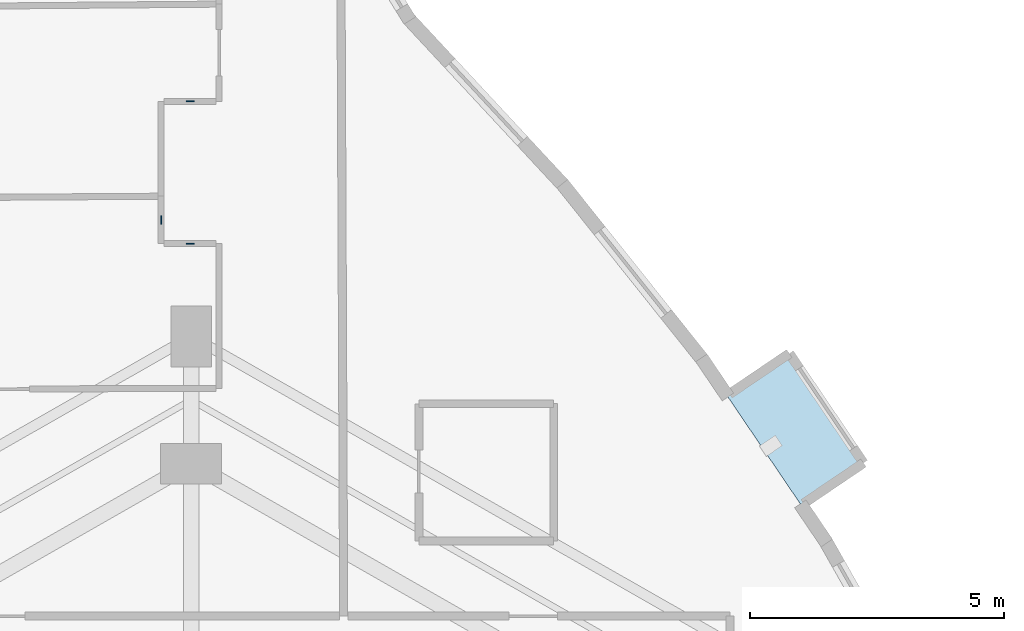
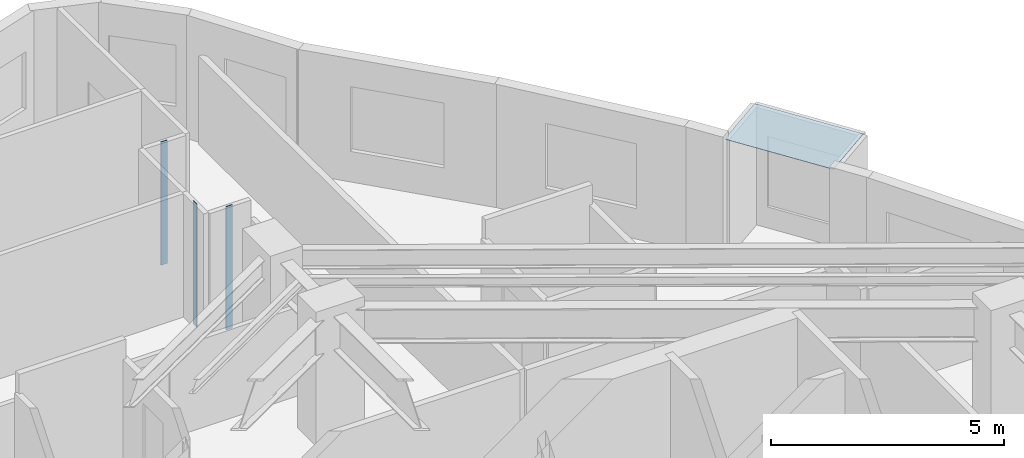
# One storey, part 4 of 11: 4 plates.
"""IFC4 building model written with IfcOpenShell, lengths in metres."""

import ifcopenshell
import ifcopenshell.guid

model = None  # the IFC model being written
_history = None  # IfcOwnerHistory: only IFC2X3 demands one
_inside = {}  # id of a spatial element -> (the spatial element, [elements in it])
_under = {}  # id of a project, library or spatial element -> (it, [spatial elements below it])
_declared = {}  # id of a project -> (the project, [libraries it declares])
_typed = {}  # id of a type object -> (the type object, [elements of that type])
_made_of = {}  # id of a material, layer set ... -> (it, [elements and type objects made of it])


def new_model(schema):
    """Start an empty IFC model of exactly this schema.

    Asked for "IFC4X3", IfcOpenShell would pick the latest addendum, in which some entities
    have other attributes; the version numbers below select the first issue.
    IFC2X3 requires an IfcOwnerHistory on every rooted entity: one is made here for all.
    """
    global model, _history
    if schema == "IFC4X3":
        model = ifcopenshell.file(schema_version=(4, 3, 0, 0))
    else:
        model = ifcopenshell.file(schema=schema)
    _inside.clear()
    _under.clear()
    _declared.clear()
    _typed.clear()
    _made_of.clear()
    _history = None
    if model.schema == "IFC2X3":
        org = make("IfcOrganization", Name="unknown")
        user = make(
            "IfcPersonAndOrganization",
            ThePerson=make("IfcPerson", FamilyName="unknown"),
            TheOrganization=org,
        )
        app = make(
            "IfcApplication",
            ApplicationDeveloper=org,
            Version="unknown",
            ApplicationFullName="unknown",
            ApplicationIdentifier="unknown",
        )
        _history = make(
            "IfcOwnerHistory",
            OwningUser=user,
            OwningApplication=app,
            ChangeAction="ADDED",
            CreationDate=0,
        )
    return model


def make(cls, **values):
    """One entity of the class cls with the attributes given. An attribute that is None is left unset."""
    return model.create_entity(
        cls, **{name: value for name, value in values.items() if value is not None}
    )


def rooted(cls, **values):
    """An entity with a GlobalId (a new one), such as an element, a storey or a relation."""
    return make(cls, GlobalId=ifcopenshell.guid.new(), OwnerHistory=_history, **values)


def si_unit(unit_type, name, prefix=None):
    """IfcSIUnit, for example si_unit("LENGTHUNIT", "METRE", prefix="MILLI")."""
    return make("IfcSIUnit", UnitType=unit_type, Prefix=prefix, Name=name)


def assignment(units):
    """IfcUnitAssignment: the units of a project."""
    return None if units is None else make("IfcUnitAssignment", Units=units)


def point(xyz):
    """IfcCartesianPoint."""
    return None if xyz is None else make("IfcCartesianPoint", Coordinates=xyz)


def direction(xyz):
    """IfcDirection."""
    return None if xyz is None else make("IfcDirection", DirectionRatios=xyz)


def frame(location, z_axis=None, x_axis=None):
    """IfcAxis2Placement3D, a coordinate frame: its origin and axes. An axis left out is left unset."""
    return make(
        "IfcAxis2Placement3D",
        Location=point(location),
        Axis=direction(z_axis),
        RefDirection=direction(x_axis),
    )


def frame_2d(location, x_axis=None):
    """IfcAxis2Placement2D, a coordinate frame in the plane: its origin and x axis."""
    return make(
        "IfcAxis2Placement2D", Location=point(location), RefDirection=direction(x_axis)
    )


def origin():
    """The frame at (0, 0, 0) with its axes left unset."""
    return frame((0.0, 0.0, 0.0))


def origin_2d():
    """The frame at (0, 0) in the plane with its x axis left unset."""
    return frame_2d((0.0, 0.0))


def place(relative_to, where):
    """IfcLocalPlacement: puts the frame where relative to a parent placement (None: the world)."""
    return make(
        "IfcLocalPlacement", PlacementRelTo=relative_to, RelativePlacement=where
    )


def context(
    kind, dimensions, precision=None, world=None, true_north=None, identifier=None
):
    """IfcGeometricRepresentationContext, for example the 3D "Model" context."""
    return make(
        "IfcGeometricRepresentationContext",
        ContextIdentifier=identifier,
        ContextType=kind,
        CoordinateSpaceDimension=dimensions,
        Precision=precision,
        WorldCoordinateSystem=world,
        TrueNorth=true_north,
    )


def subcontext(parent, identifier, kind, view, scale=None):
    """IfcGeometricRepresentationSubContext, for example "Body" below "Model"."""
    return make(
        "IfcGeometricRepresentationSubContext",
        ContextIdentifier=identifier,
        ContextType=kind,
        ParentContext=parent,
        TargetScale=scale,
        TargetView=view,
    )


def project(units=None, contexts=None):
    """IfcProject with its units and contexts."""
    return rooted(
        "IfcProject",
        Name="project",
        RepresentationContexts=contexts,
        UnitsInContext=assignment(units),
    )


def spatial(cls, under=None, at=None, **own):
    """A site, building, storey or space (cls), placed at a placement, below another one or the project."""
    s = rooted(cls, ObjectPlacement=at, **own)
    if under is not None:
        _under.setdefault(under.id(), (under, []))[1].append(s)
    return s


def polyline(points):
    """IfcPolyline through the points."""
    return make("IfcPolyline", Points=[point(p) for p in points])


def profile(cls, at=None, kind="AREA", **sizes):
    """A parametric profile (cls). Its sizes go by their IFC names, for example OverallWidth=200.0."""
    return make(cls, ProfileType=kind, Position=at, **sizes)


def rectangle(**sizes):
    """IfcRectangleProfileDef."""
    return profile("IfcRectangleProfileDef", **sizes)


def outline(outer, holes=None, kind="AREA"):
    """IfcArbitraryClosedProfileDef: a profile drawn as a closed curve; with holes, ...WithVoids."""
    if holes is None:
        return make("IfcArbitraryClosedProfileDef", ProfileType=kind, OuterCurve=outer)
    return make(
        "IfcArbitraryProfileDefWithVoids",
        ProfileType=kind,
        OuterCurve=outer,
        InnerCurves=holes,
    )


def extrude(swept, where, along, depth):
    """IfcExtrudedAreaSolid: the profile swept, set in the frame where, extruded along a direction by depth."""
    return make(
        "IfcExtrudedAreaSolid",
        SweptArea=swept,
        Position=where,
        ExtrudedDirection=direction(along),
        Depth=depth,
    )


def shape(context_of_items, identifier, shape_type, items):
    """IfcShapeRepresentation: the items that make up one representation, for example the "Body"."""
    return make(
        "IfcShapeRepresentation",
        ContextOfItems=context_of_items,
        RepresentationIdentifier=identifier,
        RepresentationType=shape_type,
        Items=items,
    )


def material(Name=None, Category=None):
    """IfcMaterial."""
    return make("IfcMaterial", Name=Name, Category=Category)


def layer(
    of_material, thickness, ventilated=None, Name=None, Category=None, Priority=None
):
    """IfcMaterialLayer: one layer of a wall or slab, of a material (None: an air gap)."""
    return make(
        "IfcMaterialLayer",
        Material=of_material,
        LayerThickness=thickness,
        IsVentilated=ventilated,
        Name=Name,
        Category=Category,
        Priority=Priority,
    )


def layer_set(layers, Name=None):
    """IfcMaterialLayerSet."""
    return make("IfcMaterialLayerSet", MaterialLayers=layers, LayerSetName=Name)


def made_of(thing, what):
    """Note that an element or type object is made of a material, layer set ...; save() writes the relation."""
    if what is not None:
        _made_of.setdefault(what.id(), (what, []))[1].append(thing)
    return thing


def type_object(cls, material=None, **own):
    """A type object (cls), such as IfcWallType, which elements share."""
    return made_of(rooted(cls, **own), material)


def element(
    cls,
    number,
    at=None,
    inside=None,
    cuts=None,
    type_object=None,
    material=None,
    context=None,
    identifier="Body",
    shape_type=None,
    held_by="IfcProductDefinitionShape",
    body=None,
    shapes=None,
    **own,
):
    """One element of the class cls, such as IfcWall. Its Tag is "e" and its number.

    at: its placement. inside: the storey or other place that contains it. cuts: it is an
    opening in that element (IfcRelVoidsElement). A single representation is given by context,
    identifier, shape_type and body (its items); several are given by shapes. held_by: the class
    of the entity that holds the representations. save() writes the other relations.
    """
    e = rooted(cls, Tag="e%d" % number, ObjectPlacement=at, **own)
    if body is not None:
        shapes = [shape(context, identifier, shape_type, body)]
    if shapes is not None:
        e.Representation = make(held_by, Representations=shapes)
    if inside is not None:
        _inside.setdefault(inside.id(), (inside, []))[1].append(e)
    if cuts is not None:
        rooted(
            "IfcRelVoidsElement", RelatingBuildingElement=cuts, RelatedOpeningElement=e
        )
    if type_object is not None:
        _typed.setdefault(type_object.id(), (type_object, []))[1].append(e)
    return made_of(e, material)


def aggregate(whole, parts):
    """IfcRelAggregates: a whole, such as a stair, and the parts it consists of."""
    return rooted("IfcRelAggregates", RelatingObject=whole, RelatedObjects=parts)


def save(model, path):
    """Write the relations noted so far, then the file.

    IfcRelAggregates (storeys below a building ...), IfcRelContainedInSpatialStructure (elements
    in a storey), IfcRelDefinesByType, IfcRelAssociatesMaterial and IfcRelDeclares: one each for
    every whole, place, type object, material and project.
    """
    for whole, parts in _under.values():
        aggregate(whole, parts)
    for where, things in _inside.values():
        rooted(
            "IfcRelContainedInSpatialStructure",
            RelatedElements=things,
            RelatingStructure=where,
        )
    for kind, things in _typed.values():
        rooted("IfcRelDefinesByType", RelatedObjects=things, RelatingType=kind)
    for what, things in _made_of.values():
        rooted("IfcRelAssociatesMaterial", RelatedObjects=things, RelatingMaterial=what)
    for by, libraries in _declared.values():
        rooted("IfcRelDeclares", RelatingContext=by, RelatedDefinitions=libraries)
    model.write(path)


model = new_model("IFC4")

# Units and contexts
model_context = context("Model", 3, precision=1e-05, world=origin(), true_north=direction((0.0, 1.0)))
body_context = subcontext(model_context, "Body", "Model", "MODEL_VIEW")
ifc_project = project(units=[si_unit("LENGTHUNIT", "METRE"), si_unit("AREAUNIT", "SQUARE_METRE"), si_unit("VOLUMEUNIT", "CUBIC_METRE"), si_unit("PLANEANGLEUNIT", "RADIAN"), si_unit("MASSUNIT", "GRAM", prefix="KILO")], contexts=[model_context])

# Site, building, storey
site_placement = place(None, origin())
site = spatial("IfcSite", under=ifc_project, at=site_placement, CompositionType="ELEMENT")
building_placement = place(site_placement, origin())
building = spatial("IfcBuilding", under=site, at=building_placement, Name="Miruveldt Soraemaru", CompositionType="ELEMENT")
storey_placement = place(building_placement, frame((0.0, 0.0, 152.89990234375)))
storey = spatial("IfcBuildingStorey", under=building, at=storey_placement, Name="L42", CompositionType="ELEMENT", Elevation=152.89990234375)

# Plates
ifc_material_1 = material(Name="Anodised aluminium EN AW-6063 T6", Category="aluminium")
ifc_layer_1 = layer(ifc_material_1, 0.02001953125, Name="Anodised aluminium EN AW-6063 T6", Category="aluminium")
ifc_layer_set_1 = layer_set([ifc_layer_1], Name="Anodised aluminium EN AW-6063 T6")
plate_type_1 = type_object("IfcPlateType", Name="PLT-PART-TRIM", PredefinedType="SHEET", material=ifc_layer_set_1)
for number, where, z_axis, x_axis, name in (
    (1, (43.978515625, 61.929931640625, 0.0), (0.0, 0.0, 1.0), (1.0, 0.0, 0.0), "L42 Partition Step Corner Trim Plate 017"),
    (2, (43.978515625, 64.72998046875, 0.0), (0.0, 0.0, 1.0), (-1.0, 0.0, 0.0), "L42 Partition Step Corner Trim Plate 021"),
    (3, (43.406982421875, 62.396484375, 0.0), (0.0, 0.0, 1.0), (0.0, -1.0, 0.0), "L42 Partition Step Corner Trim Plate 016"),
):
    element("IfcPlate", number, at=place(storey_placement, frame(where, z_axis=z_axis, x_axis=x_axis)), inside=storey, type_object=plate_type_1, Name=name, PredefinedType="SHEET", context=body_context, shape_type="SweptSolid", body=[
        extrude(rectangle(XDim=0.159912109375, YDim=0.02001953125, at=origin_2d()), origin(), (0.0, 0.0, 1.0), 3.235107421875),
    ])
ifc_material_2 = material(Name="Standing-seam titanium-zinc sheet", Category="aluminium")
ifc_layer_2 = layer(ifc_material_2, 0.011962890625, Name="Standing-seam titanium-zinc sheet", Category="aluminium")
ifc_layer_set_2 = layer_set([ifc_layer_2], Name="Standing-seam titanium-zinc sheet")
plate_type_2 = type_object("IfcPlateType", Name="PLT-ZINC-12", PredefinedType="SHEET", material=ifc_layer_set_2)
plate_placement = place(storey_placement, frame((0.0, 0.0, 3.085205078125)))
element("IfcPlate", 4, at=plate_placement, inside=storey, type_object=plate_type_2, Name="L42 Bay Window Zinc Hood Sheet 3", PredefinedType="SHEET", context=body_context, shape_type="SweptSolid", body=[
    extrude(outline(polyline([(56.00146484375, 56.784912109375), (54.543212890625, 58.9375), (55.7685546875, 59.767578125), (57.226806640625, 57.614990234375), (56.00146484375, 56.784912109375)])), origin(), (0.0, 0.0, 1.0), 0.011962890625),
])

save(model, "model.ifc")
